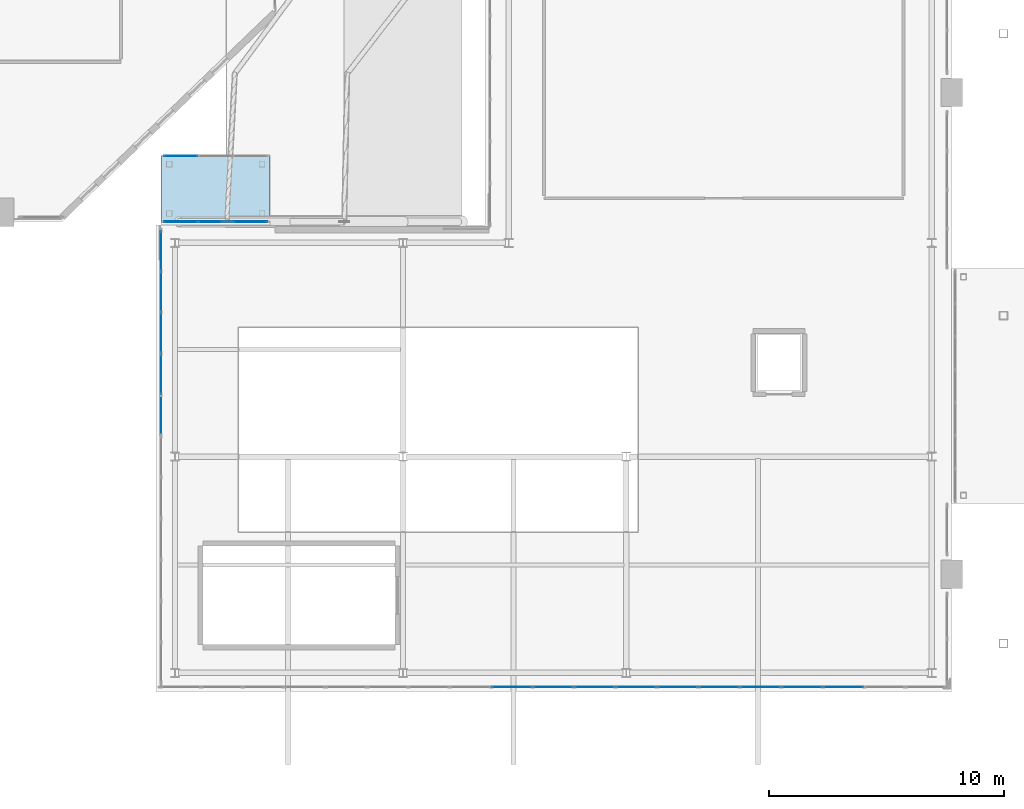
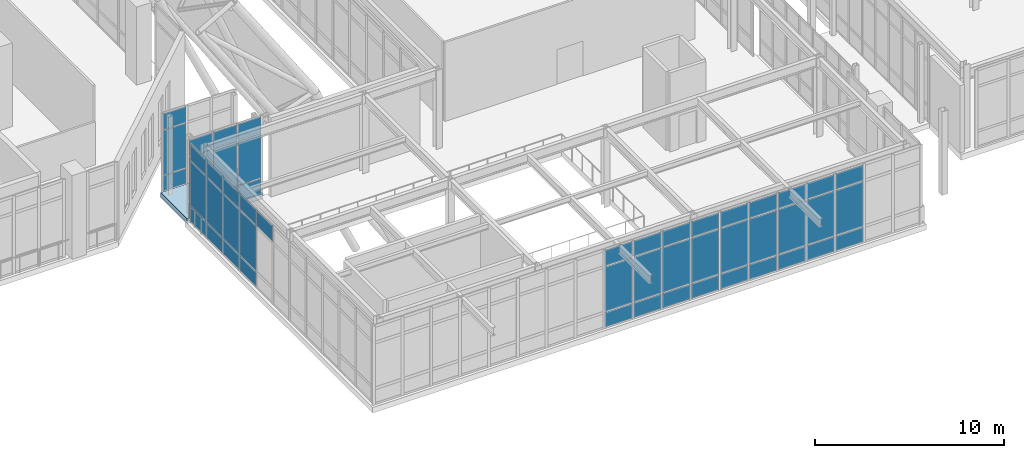
# One storey, part 93 of 159: 52 plates, 1 slab, 4 elements without a shape of their own.
"""IFC4 building model written with IfcOpenShell, lengths in metres."""

from ifc_helpers import new_model, si_unit, derived_unit, direction, frame, origin, origin_2d, place, context, subcontext, project, spatial, polyline, rectangle, outline, extrude, material, layer, layer_set, type_object, element, aggregate, save


model = new_model("IFC4")

# Units and contexts
model_context = context("Model", 3, precision=1e-05, world=origin(), true_north=direction((0.0, 1.0)))
body_context = subcontext(model_context, "Body", "Model", "MODEL_VIEW")
ifc_project = project(units=[si_unit("LENGTHUNIT", "METRE"), si_unit("AREAUNIT", "SQUARE_METRE"), si_unit("VOLUMEUNIT", "CUBIC_METRE"), si_unit("PLANEANGLEUNIT", "RADIAN"), si_unit("MASSUNIT", "GRAM", prefix="KILO"), derived_unit("THERMALTRANSMITTANCEUNIT", [(si_unit("MASSUNIT", "GRAM", prefix="KILO"), 1), (si_unit("TIMEUNIT", "SECOND"), -3), (si_unit("THERMODYNAMICTEMPERATUREUNIT", "KELVIN"), -1)])], contexts=[model_context])

# Site, building, storey
site_placement = place(None, origin())
site = spatial("IfcSite", under=ifc_project, at=site_placement, CompositionType="ELEMENT")
building_placement = place(site_placement, origin())
building = spatial("IfcBuilding", under=site, at=building_placement, Name="Valcora Ridge Arena", CompositionType="ELEMENT")
storey_placement = place(building_placement, frame((0.0, 0.0, 6.0)))
storey = spatial("IfcBuildingStorey", under=building, at=storey_placement, Name="L01", CompositionType="ELEMENT", Elevation=6.0)

# Curtain wall, plates
ifc_material_1 = material(Name="Anodised dark bronze architectural aluminium 6063-T6", Category="aluminium")
ifc_layer_1 = layer(ifc_material_1, 0.14990234375, Name="Anodised dark bronze architectural aluminium 6063-T6")
ifc_layer_set_1 = layer_set([ifc_layer_1], Name="Anodised dark bronze architectural aluminium 6063-T6")
curtain_wall_type_1 = type_object("IfcCurtainWallType", Name="TY-CURTAINWALL-CW-BRG-045X51", PredefinedType="NOTDEFINED", material=ifc_layer_set_1)
curtain_wall_1_placement = place(storey_placement, origin())
curtain_wall_1 = element("IfcCurtainWall", 1, at=curtain_wall_1_placement, inside=storey, type_object=curtain_wall_type_1, Name="CW-BRG-045X51 CW-0348", PredefinedType="NOTDEFINED")
ifc_material_2 = material(Name="Low-iron solar-control double glazing SHGC 0.28", Category="glass")
ifc_layer_2 = layer(ifc_material_2, 0.028076171875, Name="Low-iron solar-control double glazing SHGC 0.28")
ifc_layer_set_2 = layer_set([ifc_layer_2], Name="Low-iron solar-control double glazing SHGC 0.28")
plate_type_1 = type_object("IfcPlateType", Name="TY-PLT-CWP-1422X0975", PredefinedType="CURTAIN_PANEL", material=ifc_layer_set_2)
plate_1_placement = place(storey_placement, frame((99.041015625, 20.0, 0.050048828125), z_axis=(0.0, 0.0, 1.0), x_axis=(1.0, 0.0, 0.0)))
plate_1 = element("IfcPlate", 2, at=plate_1_placement, type_object=plate_type_1, Name="CW-0348/P00-00", PredefinedType="CURTAIN_PANEL", context=body_context, shape_type="SweptSolid", body=[
    extrude(rectangle(XDim=1.422119140625, YDim=0.028076171875, at=origin_2d()), origin(), (0.0, 0.0, 1.0), 0.97509765625),
])
plate_2_placement = place(storey_placement, frame((102.009033203125, 20.0, 0.050048828125), z_axis=(0.0, 0.0, 1.0), x_axis=(1.0, 0.0, 0.0)))
plate_2 = element("IfcPlate", 3, at=plate_2_placement, type_object=plate_type_1, Name="CW-0348/P02-00", PredefinedType="CURTAIN_PANEL", context=body_context, shape_type="SweptSolid", body=[
    extrude(rectangle(XDim=1.422119140625, YDim=0.028076171875, at=origin_2d()), origin(), (0.0, 0.0, 1.0), 0.97509765625),
])

# Curtain wall, plate
curtain_wall_2_placement = place(storey_placement, origin())
curtain_wall_2 = element("IfcCurtainWall", 4, at=curtain_wall_2_placement, inside=storey, type_object=curtain_wall_type_1, Name="CW-BRG-045X51 CW-0349", PredefinedType="NOTDEFINED")
plate_3_placement = place(storey_placement, frame((99.041015625, 22.800048828125, 0.050048828125), z_axis=(0.0, 0.0, 1.0), x_axis=(1.0, 0.0, 0.0)))
plate_3 = element("IfcPlate", 5, at=plate_3_placement, type_object=plate_type_1, Name="CW-0349/P00-00", PredefinedType="CURTAIN_PANEL", context=body_context, shape_type="SweptSolid", body=[
    extrude(rectangle(XDim=1.422119140625, YDim=0.028076171875, at=origin_2d()), origin(), (0.0, 0.0, 1.0), 0.97509765625),
])

# Plate
ifc_layer_3 = layer(ifc_material_2, 0.028076171875, Name="Low-iron solar-control double glazing SHGC 0.28")
ifc_layer_set_3 = layer_set([ifc_layer_3], Name="Low-iron solar-control double glazing SHGC 0.28")
plate_type_2 = type_object("IfcPlateType", Name="TY-PLT-CWP-1422X1025", PredefinedType="CURTAIN_PANEL", material=ifc_layer_set_3)
plate_4_placement = place(storey_placement, frame((99.041015625, 20.0, 4.005126953125), z_axis=(0.0, 0.0, 1.0), x_axis=(1.0, 0.0, 0.0)))
plate_4 = element("IfcPlate", 6, at=plate_4_placement, type_object=plate_type_2, Name="CW-0348/P00-02", PredefinedType="CURTAIN_PANEL", context=body_context, shape_type="SweptSolid", body=[
    extrude(rectangle(XDim=1.422119140625, YDim=0.028076171875, at=origin_2d()), origin(), (0.0, 0.0, 1.0), 1.02490234375),
])

plate_5_placement = place(storey_placement, frame((102.009033203125, 20.0, 4.005126953125), z_axis=(0.0, 0.0, 1.0), x_axis=(1.0, 0.0, 0.0)))
plate_5 = element("IfcPlate", 7, at=plate_5_placement, type_object=plate_type_2, Name="CW-0348/P02-02", PredefinedType="CURTAIN_PANEL", context=body_context, shape_type="SweptSolid", body=[
    extrude(rectangle(XDim=1.422119140625, YDim=0.028076171875, at=origin_2d()), origin(), (0.0, 0.0, 1.0), 1.02490234375),
])

plate_6_placement = place(storey_placement, frame((99.041015625, 22.800048828125, 4.005126953125), z_axis=(0.0, 0.0, 1.0), x_axis=(1.0, 0.0, 0.0)))
plate_6 = element("IfcPlate", 8, at=plate_6_placement, type_object=plate_type_2, Name="CW-0349/P00-02", PredefinedType="CURTAIN_PANEL", context=body_context, shape_type="SweptSolid", body=[
    extrude(rectangle(XDim=1.422119140625, YDim=0.028076171875, at=origin_2d()), origin(), (0.0, 0.0, 1.0), 1.02490234375),
])

ifc_layer_4 = layer(ifc_material_2, 0.028076171875, Name="Low-iron solar-control double glazing SHGC 0.28")
ifc_layer_set_4 = layer_set([ifc_layer_4], Name="Low-iron solar-control double glazing SHGC 0.28")
plate_type_3 = type_object("IfcPlateType", Name="TY-PLT-CWP-1422X2880", PredefinedType="CURTAIN_PANEL", material=ifc_layer_set_4)
plate_7_placement = place(storey_placement, frame((99.041015625, 20.0, 1.074951171875), z_axis=(0.0, 0.0, 1.0), x_axis=(1.0, 0.0, 0.0)))
plate_7 = element("IfcPlate", 9, at=plate_7_placement, type_object=plate_type_3, Name="CW-0348/P00-01", PredefinedType="CURTAIN_PANEL", context=body_context, shape_type="SweptSolid", body=[
    extrude(rectangle(XDim=1.422119140625, YDim=0.028076171875, at=origin_2d()), origin(), (0.0, 0.0, 1.0), 2.8798828125),
])

plate_8_placement = place(storey_placement, frame((102.009033203125, 20.0, 1.074951171875), z_axis=(0.0, 0.0, 1.0), x_axis=(1.0, 0.0, 0.0)))
plate_8 = element("IfcPlate", 10, at=plate_8_placement, type_object=plate_type_3, Name="CW-0348/P02-01", PredefinedType="CURTAIN_PANEL", context=body_context, shape_type="SweptSolid", body=[
    extrude(rectangle(XDim=1.422119140625, YDim=0.028076171875, at=origin_2d()), origin(), (0.0, 0.0, 1.0), 2.8798828125),
])

plate_9_placement = place(storey_placement, frame((99.041015625, 22.800048828125, 1.074951171875), z_axis=(0.0, 0.0, 1.0), x_axis=(1.0, 0.0, 0.0)))
plate_9 = element("IfcPlate", 11, at=plate_9_placement, type_object=plate_type_3, Name="CW-0349/P00-01", PredefinedType="CURTAIN_PANEL", context=body_context, shape_type="SweptSolid", body=[
    extrude(rectangle(XDim=1.422119140625, YDim=0.028076171875, at=origin_2d()), origin(), (0.0, 0.0, 1.0), 2.8798828125),
])

aggregate(curtain_wall_2, [plate_3, plate_9, plate_6])

ifc_layer_5 = layer(ifc_material_2, 0.028076171875, Name="Low-iron solar-control double glazing SHGC 0.28")
ifc_layer_set_5 = layer_set([ifc_layer_5], Name="Low-iron solar-control double glazing SHGC 0.28")
plate_type_4 = type_object("IfcPlateType", Name="TY-PLT-CWP-1446X0975", PredefinedType="CURTAIN_PANEL", material=ifc_layer_set_5)
plate_10_placement = place(storey_placement, frame((100.52490234375, 20.0, 0.050048828125), z_axis=(0.0, 0.0, 1.0), x_axis=(1.0, 0.0, 0.0)))
plate_10 = element("IfcPlate", 12, at=plate_10_placement, type_object=plate_type_4, Name="CW-0348/P01-00", PredefinedType="CURTAIN_PANEL", context=body_context, shape_type="SweptSolid", body=[
    extrude(rectangle(XDim=1.446044921875, YDim=0.028076171875, at=origin_2d()), origin(), (0.0, 0.0, 1.0), 0.97509765625),
])

ifc_layer_6 = layer(ifc_material_2, 0.028076171875, Name="Low-iron solar-control double glazing SHGC 0.28")
ifc_layer_set_6 = layer_set([ifc_layer_6], Name="Low-iron solar-control double glazing SHGC 0.28")
plate_type_5 = type_object("IfcPlateType", Name="TY-PLT-CWP-1446X1025", PredefinedType="CURTAIN_PANEL", material=ifc_layer_set_6)
plate_11_placement = place(storey_placement, frame((100.52490234375, 20.0, 4.005126953125), z_axis=(0.0, 0.0, 1.0), x_axis=(1.0, 0.0, 0.0)))
plate_11 = element("IfcPlate", 13, at=plate_11_placement, type_object=plate_type_5, Name="CW-0348/P01-02", PredefinedType="CURTAIN_PANEL", context=body_context, shape_type="SweptSolid", body=[
    extrude(rectangle(XDim=1.446044921875, YDim=0.028076171875, at=origin_2d()), origin(), (0.0, 0.0, 1.0), 1.02490234375),
])

ifc_layer_7 = layer(ifc_material_2, 0.028076171875, Name="Low-iron solar-control double glazing SHGC 0.28")
ifc_layer_set_7 = layer_set([ifc_layer_7], Name="Low-iron solar-control double glazing SHGC 0.28")
plate_type_6 = type_object("IfcPlateType", Name="TY-PLT-CWP-1446X2880", PredefinedType="CURTAIN_PANEL", material=ifc_layer_set_7)
plate_12_placement = place(storey_placement, frame((100.52490234375, 20.0, 1.074951171875), z_axis=(0.0, 0.0, 1.0), x_axis=(1.0, 0.0, 0.0)))
plate_12 = element("IfcPlate", 14, at=plate_12_placement, type_object=plate_type_6, Name="CW-0348/P01-01", PredefinedType="CURTAIN_PANEL", context=body_context, shape_type="SweptSolid", body=[
    extrude(rectangle(XDim=1.446044921875, YDim=0.028076171875, at=origin_2d()), origin(), (0.0, 0.0, 1.0), 2.8798828125),
])

aggregate(curtain_wall_1, [plate_1, plate_7, plate_4, plate_10, plate_12, plate_11, plate_2, plate_8, plate_5])

# Curtain wall, plates
ifc_layer_8 = layer(ifc_material_1, 0.179931640625, Name="Anodised dark bronze architectural aluminium 6063-T6")
ifc_layer_set_8 = layer_set([ifc_layer_8], Name="Anodised dark bronze architectural aluminium 6063-T6")
curtain_wall_type_2 = type_object("IfcCurtainWallType", Name="TY-CURTAINWALL-CW-V3-LANCET-193X51", PredefinedType="NOTDEFINED", material=ifc_layer_set_8)
curtain_wall_3_placement = place(storey_placement, origin())
curtain_wall_3 = element("IfcCurtainWall", 15, at=curtain_wall_3_placement, inside=storey, type_object=curtain_wall_type_2, Name="CW-V3-LANCET-193X51 CW-0020", PredefinedType="NOTDEFINED")
ifc_layer_9 = layer(ifc_material_2, 0.031982421875, Name="Low-iron solar-control double glazing SHGC 0.28")
ifc_layer_set_9 = layer_set([ifc_layer_9], Name="Low-iron solar-control double glazing SHGC 0.28")
plate_type_7 = type_object("IfcPlateType", Name="TY-PLT-CWP-1665X0960", PredefinedType="CURTAIN_PANEL", material=ifc_layer_set_9)
plate_13_placement = place(storey_placement, frame((98.199951171875, 18.757568359375, 0.06005859375), z_axis=(0.0, 0.0, 1.0), x_axis=(0.0, 1.0, 0.0)))
plate_13 = element("IfcPlate", 16, at=plate_13_placement, type_object=plate_type_7, Name="CW-0020/P10-00", PredefinedType="CURTAIN_PANEL", context=body_context, shape_type="SweptSolid", body=[
    extrude(rectangle(XDim=1.6650390625, YDim=0.031982421875, at=origin_2d()), origin(), (0.0, 0.0, 1.0), 0.9599609375),
])
ifc_layer_10 = layer(ifc_material_2, 0.031982421875, Name="Low-iron solar-control double glazing SHGC 0.28")
ifc_layer_set_10 = layer_set([ifc_layer_10], Name="Low-iron solar-control double glazing SHGC 0.28")
plate_type_8 = type_object("IfcPlateType", Name="TY-PLT-CWP-1665X1010", PredefinedType="CURTAIN_PANEL", material=ifc_layer_set_10)
plate_14_placement = place(storey_placement, frame((98.199951171875, 18.757568359375, 4.02978515625), z_axis=(0.0, 0.0, 1.0), x_axis=(0.0, 1.0, 0.0)))
plate_14 = element("IfcPlate", 17, at=plate_14_placement, type_object=plate_type_8, Name="CW-0020/P10-02", PredefinedType="CURTAIN_PANEL", context=body_context, shape_type="SweptSolid", body=[
    extrude(rectangle(XDim=1.6650390625, YDim=0.031982421875, at=origin_2d()), origin(), (0.0, 0.0, 1.0), 1.010009765625),
])
ifc_layer_11 = layer(ifc_material_2, 0.031982421875, Name="Low-iron solar-control double glazing SHGC 0.28")
ifc_layer_set_11 = layer_set([ifc_layer_11], Name="Low-iron solar-control double glazing SHGC 0.28")
plate_type_9 = type_object("IfcPlateType", Name="TY-PLT-CWP-1665X2890", PredefinedType="CURTAIN_PANEL", material=ifc_layer_set_11)
plate_15_placement = place(storey_placement, frame((98.199951171875, 18.757568359375, 1.080078125), z_axis=(0.0, 0.0, 1.0), x_axis=(0.0, 1.0, 0.0)))
plate_15 = element("IfcPlate", 18, at=plate_15_placement, type_object=plate_type_9, Name="CW-0020/P10-01", PredefinedType="CURTAIN_PANEL", context=body_context, shape_type="SweptSolid", body=[
    extrude(rectangle(XDim=1.6650390625, YDim=0.031982421875, at=origin_2d()), origin(), (0.0, 0.0, 1.0), 2.889892578125),
])
ifc_layer_12 = layer(ifc_material_2, 0.031982421875, Name="Low-iron solar-control double glazing SHGC 0.28")
ifc_layer_set_12 = layer_set([ifc_layer_12], Name="Low-iron solar-control double glazing SHGC 0.28")
plate_type_10 = type_object("IfcPlateType", Name="TY-PLT-CWP-1694X0960", PredefinedType="CURTAIN_PANEL", material=ifc_layer_set_12)
plate_16_placement = place(storey_placement, frame((98.199951171875, 13.509033203125, 0.06005859375), z_axis=(0.0, 0.0, 1.0), x_axis=(0.0, 1.0, 0.0)))
plate_16 = element("IfcPlate", 19, at=plate_16_placement, type_object=plate_type_10, Name="CW-0020/P07-00", PredefinedType="CURTAIN_PANEL", context=body_context, shape_type="SweptSolid", body=[
    extrude(rectangle(XDim=1.694091796875, YDim=0.031982421875, at=origin_2d()), origin(), (0.0, 0.0, 1.0), 0.9599609375),
])
plate_17_placement = place(storey_placement, frame((98.199951171875, 17.01806640625, 0.06005859375), z_axis=(0.0, 0.0, 1.0), x_axis=(0.0, 1.0, 0.0)))
plate_17 = element("IfcPlate", 20, at=plate_17_placement, type_object=plate_type_10, Name="CW-0020/P09-00", PredefinedType="CURTAIN_PANEL", context=body_context, shape_type="SweptSolid", body=[
    extrude(rectangle(XDim=1.694091796875, YDim=0.031982421875, at=origin_2d()), origin(), (0.0, 0.0, 1.0), 0.9599609375),
])
ifc_layer_13 = layer(ifc_material_2, 0.031982421875, Name="Low-iron solar-control double glazing SHGC 0.28")
ifc_layer_set_13 = layer_set([ifc_layer_13], Name="Low-iron solar-control double glazing SHGC 0.28")
plate_type_11 = type_object("IfcPlateType", Name="TY-PLT-CWP-1694X1010", PredefinedType="CURTAIN_PANEL", material=ifc_layer_set_13)
plate_18_placement = place(storey_placement, frame((98.199951171875, 13.509033203125, 4.02978515625), z_axis=(0.0, 0.0, 1.0), x_axis=(0.0, 1.0, 0.0)))
plate_18 = element("IfcPlate", 21, at=plate_18_placement, type_object=plate_type_11, Name="CW-0020/P07-02", PredefinedType="CURTAIN_PANEL", context=body_context, shape_type="SweptSolid", body=[
    extrude(rectangle(XDim=1.694091796875, YDim=0.031982421875, at=origin_2d()), origin(), (0.0, 0.0, 1.0), 1.010009765625),
])
plate_19_placement = place(storey_placement, frame((98.199951171875, 17.01806640625, 4.02978515625), z_axis=(0.0, 0.0, 1.0), x_axis=(0.0, 1.0, 0.0)))
plate_19 = element("IfcPlate", 22, at=plate_19_placement, type_object=plate_type_11, Name="CW-0020/P09-02", PredefinedType="CURTAIN_PANEL", context=body_context, shape_type="SweptSolid", body=[
    extrude(rectangle(XDim=1.694091796875, YDim=0.031982421875, at=origin_2d()), origin(), (0.0, 0.0, 1.0), 1.010009765625),
])
ifc_layer_14 = layer(ifc_material_2, 0.031982421875, Name="Low-iron solar-control double glazing SHGC 0.28")
ifc_layer_set_14 = layer_set([ifc_layer_14], Name="Low-iron solar-control double glazing SHGC 0.28")
plate_type_12 = type_object("IfcPlateType", Name="TY-PLT-CWP-1694X2890", PredefinedType="CURTAIN_PANEL", material=ifc_layer_set_14)
plate_20_placement = place(storey_placement, frame((98.199951171875, 13.509033203125, 1.080078125), z_axis=(0.0, 0.0, 1.0), x_axis=(0.0, 1.0, 0.0)))
plate_20 = element("IfcPlate", 23, at=plate_20_placement, type_object=plate_type_12, Name="CW-0020/P07-01", PredefinedType="CURTAIN_PANEL", context=body_context, shape_type="SweptSolid", body=[
    extrude(rectangle(XDim=1.694091796875, YDim=0.031982421875, at=origin_2d()), origin(), (0.0, 0.0, 1.0), 2.889892578125),
])
plate_21_placement = place(storey_placement, frame((98.199951171875, 17.01806640625, 1.080078125), z_axis=(0.0, 0.0, 1.0), x_axis=(0.0, 1.0, 0.0)))
plate_21 = element("IfcPlate", 24, at=plate_21_placement, type_object=plate_type_12, Name="CW-0020/P09-01", PredefinedType="CURTAIN_PANEL", context=body_context, shape_type="SweptSolid", body=[
    extrude(rectangle(XDim=1.694091796875, YDim=0.031982421875, at=origin_2d()), origin(), (0.0, 0.0, 1.0), 2.889892578125),
])
ifc_layer_15 = layer(ifc_material_2, 0.031982421875, Name="Low-iron solar-control double glazing SHGC 0.28")
ifc_layer_set_15 = layer_set([ifc_layer_15], Name="Low-iron solar-control double glazing SHGC 0.28")
plate_type_13 = type_object("IfcPlateType", Name="TY-PLT-CWP-1695X0960", PredefinedType="CURTAIN_PANEL", material=ifc_layer_set_15)
plate_22_placement = place(storey_placement, frame((98.199951171875, 15.263427734375, 0.06005859375), z_axis=(0.0, 0.0, 1.0), x_axis=(0.0, 1.0, 0.0)))
plate_22 = element("IfcPlate", 25, at=plate_22_placement, type_object=plate_type_13, Name="CW-0020/P08-00", PredefinedType="CURTAIN_PANEL", context=body_context, shape_type="SweptSolid", body=[
    extrude(rectangle(XDim=1.695068359375, YDim=0.031982421875, at=origin_2d()), origin(), (0.0, 0.0, 1.0), 0.9599609375),
])
ifc_layer_16 = layer(ifc_material_2, 0.031982421875, Name="Low-iron solar-control double glazing SHGC 0.28")
ifc_layer_set_16 = layer_set([ifc_layer_16], Name="Low-iron solar-control double glazing SHGC 0.28")
plate_type_14 = type_object("IfcPlateType", Name="TY-PLT-CWP-1695X1010", PredefinedType="CURTAIN_PANEL", material=ifc_layer_set_16)
plate_23_placement = place(storey_placement, frame((98.199951171875, 11.75439453125, 4.02978515625), z_axis=(0.0, 0.0, 1.0), x_axis=(0.0, 1.0, 0.0)))
plate_23 = element("IfcPlate", 26, at=plate_23_placement, type_object=plate_type_14, Name="CW-0020/P06-02", PredefinedType="CURTAIN_PANEL", context=body_context, shape_type="SweptSolid", body=[
    extrude(rectangle(XDim=1.695068359375, YDim=0.031982421875, at=origin_2d()), origin(), (0.0, 0.0, 1.0), 1.010009765625),
])
plate_24_placement = place(storey_placement, frame((98.199951171875, 15.263427734375, 4.02978515625), z_axis=(0.0, 0.0, 1.0), x_axis=(0.0, 1.0, 0.0)))
plate_24 = element("IfcPlate", 27, at=plate_24_placement, type_object=plate_type_14, Name="CW-0020/P08-02", PredefinedType="CURTAIN_PANEL", context=body_context, shape_type="SweptSolid", body=[
    extrude(rectangle(XDim=1.695068359375, YDim=0.031982421875, at=origin_2d()), origin(), (0.0, 0.0, 1.0), 1.010009765625),
])
ifc_layer_17 = layer(ifc_material_2, 0.031982421875, Name="Low-iron solar-control double glazing SHGC 0.28")
ifc_layer_set_17 = layer_set([ifc_layer_17], Name="Low-iron solar-control double glazing SHGC 0.28")
plate_type_15 = type_object("IfcPlateType", Name="TY-PLT-CWP-1695X2890", PredefinedType="CURTAIN_PANEL", material=ifc_layer_set_17)
plate_25_placement = place(storey_placement, frame((98.199951171875, 15.263427734375, 1.080078125), z_axis=(0.0, 0.0, 1.0), x_axis=(0.0, 1.0, 0.0)))
plate_25 = element("IfcPlate", 28, at=plate_25_placement, type_object=plate_type_15, Name="CW-0020/P08-01", PredefinedType="CURTAIN_PANEL", context=body_context, shape_type="SweptSolid", body=[
    extrude(rectangle(XDim=1.695068359375, YDim=0.031982421875, at=origin_2d()), origin(), (0.0, 0.0, 1.0), 2.889892578125),
])
aggregate(curtain_wall_3, [plate_23, plate_16, plate_20, plate_18, plate_22, plate_25, plate_24, plate_17, plate_21, plate_19, plate_13, plate_15, plate_14])

ifc_layer_18 = layer(ifc_material_1, 0.179931640625, Name="Anodised dark bronze architectural aluminium 6063-T6")
ifc_layer_set_18 = layer_set([ifc_layer_18], Name="Anodised dark bronze architectural aluminium 6063-T6")
curtain_wall_type_3 = type_object("IfcCurtainWallType", Name="TY-CURTAINWALL-CW-V3-LANCET-335X51", PredefinedType="NOTDEFINED", material=ifc_layer_set_18)
curtain_wall_4_placement = place(storey_placement, origin())
curtain_wall_4 = element("IfcCurtainWall", 29, at=curtain_wall_4_placement, inside=storey, type_object=curtain_wall_type_3, Name="CW-V3-LANCET-335X51 CW-0011", PredefinedType="NOTDEFINED")
ifc_layer_19 = layer(ifc_material_2, 0.031982421875, Name="Low-iron solar-control double glazing SHGC 0.28")
ifc_layer_set_19 = layer_set([ifc_layer_19], Name="Low-iron solar-control double glazing SHGC 0.28")
plate_type_16 = type_object("IfcPlateType", Name="TY-PLT-CWP-1703X0960", PredefinedType="CURTAIN_PANEL", material=ifc_layer_set_19)
plate_26_placement = place(storey_placement, frame((113.136474609375, 0.199951171875, 0.06005859375), z_axis=(0.0, 0.0, 1.0), x_axis=(1.0, 0.0, 0.0)))
plate_26 = element("IfcPlate", 30, at=plate_26_placement, type_object=plate_type_16, Name="CW-0011/P08-00", PredefinedType="CURTAIN_PANEL", context=body_context, shape_type="SweptSolid", body=[
    extrude(rectangle(XDim=1.702880859375, YDim=0.031982421875, at=origin_2d()), origin(), (0.0, 0.0, 1.0), 0.9599609375),
])
plate_27_placement = place(storey_placement, frame((116.66357421875, 0.199951171875, 0.06005859375), z_axis=(0.0, 0.0, 1.0), x_axis=(1.0, 0.0, 0.0)))
plate_27 = element("IfcPlate", 31, at=plate_27_placement, type_object=plate_type_16, Name="CW-0011/P10-00", PredefinedType="CURTAIN_PANEL", context=body_context, shape_type="SweptSolid", body=[
    extrude(rectangle(XDim=1.702880859375, YDim=0.031982421875, at=origin_2d()), origin(), (0.0, 0.0, 1.0), 0.9599609375),
])
plate_28_placement = place(storey_placement, frame((118.426513671875, 0.199951171875, 0.06005859375), z_axis=(0.0, 0.0, 1.0), x_axis=(1.0, 0.0, 0.0)))
plate_28 = element("IfcPlate", 32, at=plate_28_placement, type_object=plate_type_16, Name="CW-0011/P11-00", PredefinedType="CURTAIN_PANEL", context=body_context, shape_type="SweptSolid", body=[
    extrude(rectangle(XDim=1.702880859375, YDim=0.031982421875, at=origin_2d()), origin(), (0.0, 0.0, 1.0), 0.9599609375),
])
plate_29_placement = place(storey_placement, frame((120.189453125, 0.199951171875, 0.06005859375), z_axis=(0.0, 0.0, 1.0), x_axis=(1.0, 0.0, 0.0)))
plate_29 = element("IfcPlate", 33, at=plate_29_placement, type_object=plate_type_16, Name="CW-0011/P12-00", PredefinedType="CURTAIN_PANEL", context=body_context, shape_type="SweptSolid", body=[
    extrude(rectangle(XDim=1.702880859375, YDim=0.031982421875, at=origin_2d()), origin(), (0.0, 0.0, 1.0), 0.9599609375),
])
plate_30_placement = place(storey_placement, frame((121.952392578125, 0.199951171875, 0.06005859375), z_axis=(0.0, 0.0, 1.0), x_axis=(1.0, 0.0, 0.0)))
plate_30 = element("IfcPlate", 34, at=plate_30_placement, type_object=plate_type_16, Name="CW-0011/P13-00", PredefinedType="CURTAIN_PANEL", context=body_context, shape_type="SweptSolid", body=[
    extrude(rectangle(XDim=1.702880859375, YDim=0.031982421875, at=origin_2d()), origin(), (0.0, 0.0, 1.0), 0.9599609375),
])
plate_31_placement = place(storey_placement, frame((123.715576171875, 0.199951171875, 0.06005859375), z_axis=(0.0, 0.0, 1.0), x_axis=(1.0, 0.0, 0.0)))
plate_31 = element("IfcPlate", 35, at=plate_31_placement, type_object=plate_type_16, Name="CW-0011/P14-00", PredefinedType="CURTAIN_PANEL", context=body_context, shape_type="SweptSolid", body=[
    extrude(rectangle(XDim=1.702880859375, YDim=0.031982421875, at=origin_2d()), origin(), (0.0, 0.0, 1.0), 0.9599609375),
])
plate_32_placement = place(storey_placement, frame((127.242431640625, 0.199951171875, 0.06005859375), z_axis=(0.0, 0.0, 1.0), x_axis=(1.0, 0.0, 0.0)))
plate_32 = element("IfcPlate", 36, at=plate_32_placement, type_object=plate_type_16, Name="CW-0011/P16-00", PredefinedType="CURTAIN_PANEL", context=body_context, shape_type="SweptSolid", body=[
    extrude(rectangle(XDim=1.702880859375, YDim=0.031982421875, at=origin_2d()), origin(), (0.0, 0.0, 1.0), 0.9599609375),
])
ifc_layer_20 = layer(ifc_material_2, 0.031982421875, Name="Low-iron solar-control double glazing SHGC 0.28")
ifc_layer_set_20 = layer_set([ifc_layer_20], Name="Low-iron solar-control double glazing SHGC 0.28")
plate_type_17 = type_object("IfcPlateType", Name="TY-PLT-CWP-1703X1010", PredefinedType="CURTAIN_PANEL", material=ifc_layer_set_20)
plate_33_placement = place(storey_placement, frame((113.136474609375, 0.199951171875, 4.02978515625), z_axis=(0.0, 0.0, 1.0), x_axis=(1.0, 0.0, 0.0)))
plate_33 = element("IfcPlate", 37, at=plate_33_placement, type_object=plate_type_17, Name="CW-0011/P08-02", PredefinedType="CURTAIN_PANEL", context=body_context, shape_type="SweptSolid", body=[
    extrude(rectangle(XDim=1.702880859375, YDim=0.031982421875, at=origin_2d()), origin(), (0.0, 0.0, 1.0), 1.010009765625),
])
plate_34_placement = place(storey_placement, frame((116.66357421875, 0.199951171875, 4.02978515625), z_axis=(0.0, 0.0, 1.0), x_axis=(1.0, 0.0, 0.0)))
plate_34 = element("IfcPlate", 38, at=plate_34_placement, type_object=plate_type_17, Name="CW-0011/P10-02", PredefinedType="CURTAIN_PANEL", context=body_context, shape_type="SweptSolid", body=[
    extrude(rectangle(XDim=1.702880859375, YDim=0.031982421875, at=origin_2d()), origin(), (0.0, 0.0, 1.0), 1.010009765625),
])
plate_35_placement = place(storey_placement, frame((118.426513671875, 0.199951171875, 4.02978515625), z_axis=(0.0, 0.0, 1.0), x_axis=(1.0, 0.0, 0.0)))
plate_35 = element("IfcPlate", 39, at=plate_35_placement, type_object=plate_type_17, Name="CW-0011/P11-02", PredefinedType="CURTAIN_PANEL", context=body_context, shape_type="SweptSolid", body=[
    extrude(rectangle(XDim=1.702880859375, YDim=0.031982421875, at=origin_2d()), origin(), (0.0, 0.0, 1.0), 1.010009765625),
])
plate_36_placement = place(storey_placement, frame((120.189453125, 0.199951171875, 4.02978515625), z_axis=(0.0, 0.0, 1.0), x_axis=(1.0, 0.0, 0.0)))
plate_36 = element("IfcPlate", 40, at=plate_36_placement, type_object=plate_type_17, Name="CW-0011/P12-02", PredefinedType="CURTAIN_PANEL", context=body_context, shape_type="SweptSolid", body=[
    extrude(rectangle(XDim=1.702880859375, YDim=0.031982421875, at=origin_2d()), origin(), (0.0, 0.0, 1.0), 1.010009765625),
])
plate_37_placement = place(storey_placement, frame((121.952392578125, 0.199951171875, 4.02978515625), z_axis=(0.0, 0.0, 1.0), x_axis=(1.0, 0.0, 0.0)))
plate_37 = element("IfcPlate", 41, at=plate_37_placement, type_object=plate_type_17, Name="CW-0011/P13-02", PredefinedType="CURTAIN_PANEL", context=body_context, shape_type="SweptSolid", body=[
    extrude(rectangle(XDim=1.702880859375, YDim=0.031982421875, at=origin_2d()), origin(), (0.0, 0.0, 1.0), 1.010009765625),
])
plate_38_placement = place(storey_placement, frame((123.715576171875, 0.199951171875, 4.02978515625), z_axis=(0.0, 0.0, 1.0), x_axis=(1.0, 0.0, 0.0)))
plate_38 = element("IfcPlate", 42, at=plate_38_placement, type_object=plate_type_17, Name="CW-0011/P14-02", PredefinedType="CURTAIN_PANEL", context=body_context, shape_type="SweptSolid", body=[
    extrude(rectangle(XDim=1.702880859375, YDim=0.031982421875, at=origin_2d()), origin(), (0.0, 0.0, 1.0), 1.010009765625),
])
plate_39_placement = place(storey_placement, frame((127.242431640625, 0.199951171875, 4.02978515625), z_axis=(0.0, 0.0, 1.0), x_axis=(1.0, 0.0, 0.0)))
plate_39 = element("IfcPlate", 43, at=plate_39_placement, type_object=plate_type_17, Name="CW-0011/P16-02", PredefinedType="CURTAIN_PANEL", context=body_context, shape_type="SweptSolid", body=[
    extrude(rectangle(XDim=1.702880859375, YDim=0.031982421875, at=origin_2d()), origin(), (0.0, 0.0, 1.0), 1.010009765625),
])
ifc_layer_21 = layer(ifc_material_2, 0.031982421875, Name="Low-iron solar-control double glazing SHGC 0.28")
ifc_layer_set_21 = layer_set([ifc_layer_21], Name="Low-iron solar-control double glazing SHGC 0.28")
plate_type_18 = type_object("IfcPlateType", Name="TY-PLT-CWP-1703X2890", PredefinedType="CURTAIN_PANEL", material=ifc_layer_set_21)
plate_40_placement = place(storey_placement, frame((113.136474609375, 0.199951171875, 1.080078125), z_axis=(0.0, 0.0, 1.0), x_axis=(1.0, 0.0, 0.0)))
plate_40 = element("IfcPlate", 44, at=plate_40_placement, type_object=plate_type_18, Name="CW-0011/P08-01", PredefinedType="CURTAIN_PANEL", context=body_context, shape_type="SweptSolid", body=[
    extrude(rectangle(XDim=1.702880859375, YDim=0.031982421875, at=origin_2d()), origin(), (0.0, 0.0, 1.0), 2.889892578125),
])
plate_41_placement = place(storey_placement, frame((116.66357421875, 0.199951171875, 1.080078125), z_axis=(0.0, 0.0, 1.0), x_axis=(1.0, 0.0, 0.0)))
plate_41 = element("IfcPlate", 45, at=plate_41_placement, type_object=plate_type_18, Name="CW-0011/P10-01", PredefinedType="CURTAIN_PANEL", context=body_context, shape_type="SweptSolid", body=[
    extrude(rectangle(XDim=1.702880859375, YDim=0.031982421875, at=origin_2d()), origin(), (0.0, 0.0, 1.0), 2.889892578125),
])
plate_42_placement = place(storey_placement, frame((118.426513671875, 0.199951171875, 1.080078125), z_axis=(0.0, 0.0, 1.0), x_axis=(1.0, 0.0, 0.0)))
plate_42 = element("IfcPlate", 46, at=plate_42_placement, type_object=plate_type_18, Name="CW-0011/P11-01", PredefinedType="CURTAIN_PANEL", context=body_context, shape_type="SweptSolid", body=[
    extrude(rectangle(XDim=1.702880859375, YDim=0.031982421875, at=origin_2d()), origin(), (0.0, 0.0, 1.0), 2.889892578125),
])
plate_43_placement = place(storey_placement, frame((120.189453125, 0.199951171875, 1.080078125), z_axis=(0.0, 0.0, 1.0), x_axis=(1.0, 0.0, 0.0)))
plate_43 = element("IfcPlate", 47, at=plate_43_placement, type_object=plate_type_18, Name="CW-0011/P12-01", PredefinedType="CURTAIN_PANEL", context=body_context, shape_type="SweptSolid", body=[
    extrude(rectangle(XDim=1.702880859375, YDim=0.031982421875, at=origin_2d()), origin(), (0.0, 0.0, 1.0), 2.889892578125),
])
plate_44_placement = place(storey_placement, frame((121.952392578125, 0.199951171875, 1.080078125), z_axis=(0.0, 0.0, 1.0), x_axis=(1.0, 0.0, 0.0)))
plate_44 = element("IfcPlate", 48, at=plate_44_placement, type_object=plate_type_18, Name="CW-0011/P13-01", PredefinedType="CURTAIN_PANEL", context=body_context, shape_type="SweptSolid", body=[
    extrude(rectangle(XDim=1.702880859375, YDim=0.031982421875, at=origin_2d()), origin(), (0.0, 0.0, 1.0), 2.889892578125),
])
plate_45_placement = place(storey_placement, frame((123.715576171875, 0.199951171875, 1.080078125), z_axis=(0.0, 0.0, 1.0), x_axis=(1.0, 0.0, 0.0)))
plate_45 = element("IfcPlate", 49, at=plate_45_placement, type_object=plate_type_18, Name="CW-0011/P14-01", PredefinedType="CURTAIN_PANEL", context=body_context, shape_type="SweptSolid", body=[
    extrude(rectangle(XDim=1.702880859375, YDim=0.031982421875, at=origin_2d()), origin(), (0.0, 0.0, 1.0), 2.889892578125),
])
plate_46_placement = place(storey_placement, frame((127.242431640625, 0.199951171875, 1.080078125), z_axis=(0.0, 0.0, 1.0), x_axis=(1.0, 0.0, 0.0)))
plate_46 = element("IfcPlate", 50, at=plate_46_placement, type_object=plate_type_18, Name="CW-0011/P16-01", PredefinedType="CURTAIN_PANEL", context=body_context, shape_type="SweptSolid", body=[
    extrude(rectangle(XDim=1.702880859375, YDim=0.031982421875, at=origin_2d()), origin(), (0.0, 0.0, 1.0), 2.889892578125),
])
ifc_layer_22 = layer(ifc_material_2, 0.031982421875, Name="Low-iron solar-control double glazing SHGC 0.28")
ifc_layer_set_22 = layer_set([ifc_layer_22], Name="Low-iron solar-control double glazing SHGC 0.28")
plate_type_19 = type_object("IfcPlateType", Name="TY-PLT-CWP-1704X0960", PredefinedType="CURTAIN_PANEL", material=ifc_layer_set_22)
plate_47_placement = place(storey_placement, frame((114.89990234375, 0.199951171875, 0.06005859375), z_axis=(0.0, 0.0, 1.0), x_axis=(1.0, 0.0, 0.0)))
plate_47 = element("IfcPlate", 51, at=plate_47_placement, type_object=plate_type_19, Name="CW-0011/P09-00", PredefinedType="CURTAIN_PANEL", context=body_context, shape_type="SweptSolid", body=[
    extrude(rectangle(XDim=1.7041015625, YDim=0.031982421875, at=origin_2d()), origin(), (0.0, 0.0, 1.0), 0.9599609375),
])
plate_48_placement = place(storey_placement, frame((125.47900390625, 0.199951171875, 0.06005859375), z_axis=(0.0, 0.0, 1.0), x_axis=(1.0, 0.0, 0.0)))
plate_48 = element("IfcPlate", 52, at=plate_48_placement, type_object=plate_type_19, Name="CW-0011/P15-00", PredefinedType="CURTAIN_PANEL", context=body_context, shape_type="SweptSolid", body=[
    extrude(rectangle(XDim=1.7041015625, YDim=0.031982421875, at=origin_2d()), origin(), (0.0, 0.0, 1.0), 0.9599609375),
])
ifc_layer_23 = layer(ifc_material_2, 0.031982421875, Name="Low-iron solar-control double glazing SHGC 0.28")
ifc_layer_set_23 = layer_set([ifc_layer_23], Name="Low-iron solar-control double glazing SHGC 0.28")
plate_type_20 = type_object("IfcPlateType", Name="TY-PLT-CWP-1704X1010", PredefinedType="CURTAIN_PANEL", material=ifc_layer_set_23)
plate_49_placement = place(storey_placement, frame((114.89990234375, 0.199951171875, 4.02978515625), z_axis=(0.0, 0.0, 1.0), x_axis=(1.0, 0.0, 0.0)))
plate_49 = element("IfcPlate", 53, at=plate_49_placement, type_object=plate_type_20, Name="CW-0011/P09-02", PredefinedType="CURTAIN_PANEL", context=body_context, shape_type="SweptSolid", body=[
    extrude(rectangle(XDim=1.7041015625, YDim=0.031982421875, at=origin_2d()), origin(), (0.0, 0.0, 1.0), 1.010009765625),
])
plate_50_placement = place(storey_placement, frame((125.47900390625, 0.199951171875, 4.02978515625), z_axis=(0.0, 0.0, 1.0), x_axis=(1.0, 0.0, 0.0)))
plate_50 = element("IfcPlate", 54, at=plate_50_placement, type_object=plate_type_20, Name="CW-0011/P15-02", PredefinedType="CURTAIN_PANEL", context=body_context, shape_type="SweptSolid", body=[
    extrude(rectangle(XDim=1.7041015625, YDim=0.031982421875, at=origin_2d()), origin(), (0.0, 0.0, 1.0), 1.010009765625),
])
ifc_layer_24 = layer(ifc_material_2, 0.031982421875, Name="Low-iron solar-control double glazing SHGC 0.28")
ifc_layer_set_24 = layer_set([ifc_layer_24], Name="Low-iron solar-control double glazing SHGC 0.28")
plate_type_21 = type_object("IfcPlateType", Name="TY-PLT-CWP-1704X2890", PredefinedType="CURTAIN_PANEL", material=ifc_layer_set_24)
plate_51_placement = place(storey_placement, frame((114.89990234375, 0.199951171875, 1.080078125), z_axis=(0.0, 0.0, 1.0), x_axis=(1.0, 0.0, 0.0)))
plate_51 = element("IfcPlate", 55, at=plate_51_placement, type_object=plate_type_21, Name="CW-0011/P09-01", PredefinedType="CURTAIN_PANEL", context=body_context, shape_type="SweptSolid", body=[
    extrude(rectangle(XDim=1.7041015625, YDim=0.031982421875, at=origin_2d()), origin(), (0.0, 0.0, 1.0), 2.889892578125),
])
plate_52_placement = place(storey_placement, frame((125.47900390625, 0.199951171875, 1.080078125), z_axis=(0.0, 0.0, 1.0), x_axis=(1.0, 0.0, 0.0)))
plate_52 = element("IfcPlate", 56, at=plate_52_placement, type_object=plate_type_21, Name="CW-0011/P15-01", PredefinedType="CURTAIN_PANEL", context=body_context, shape_type="SweptSolid", body=[
    extrude(rectangle(XDim=1.7041015625, YDim=0.031982421875, at=origin_2d()), origin(), (0.0, 0.0, 1.0), 2.889892578125),
])
aggregate(curtain_wall_4, [plate_26, plate_40, plate_33, plate_47, plate_51, plate_49, plate_27, plate_41, plate_34, plate_28, plate_42, plate_35, plate_29, plate_43, plate_36, plate_30, plate_44, plate_37, plate_31, plate_45, plate_38, plate_48, plate_52, plate_50, plate_32, plate_46, plate_39])

# Slab
ifc_material_3 = material(Name="Concrete C40/50", Category="concrete")
ifc_layer_25 = layer(ifc_material_3, 0.320068359375, Name="Concrete C40/50")
ifc_layer_set_25 = layer_set([ifc_layer_25], Name="Concrete C40/50")
slab_type = type_object("IfcSlabType", Name="TY-SLAB-SL-BRG-SJ1-L01", PredefinedType="FLOOR", material=ifc_layer_set_25)
slab_placement = place(storey_placement, frame((0.0, 0.0, -0.320068359375)))
element("IfcSlab", 57, at=slab_placement, inside=storey, type_object=slab_type, Name="SL-BRG-SJ1-L01 SLB-0080", PredefinedType="FLOOR", context=body_context, shape_type="SweptSolid", body=[
    extrude(outline(polyline([(102.85009765625, 20.0), (102.85009765625, 22.800048828125), (98.199951171875, 22.800048828125), (98.199951171875, 20.0), (102.85009765625, 20.0)])), origin(), (0.0, 0.0, 1.0), 0.320068359375),
])

save(model, "model.ifc")
